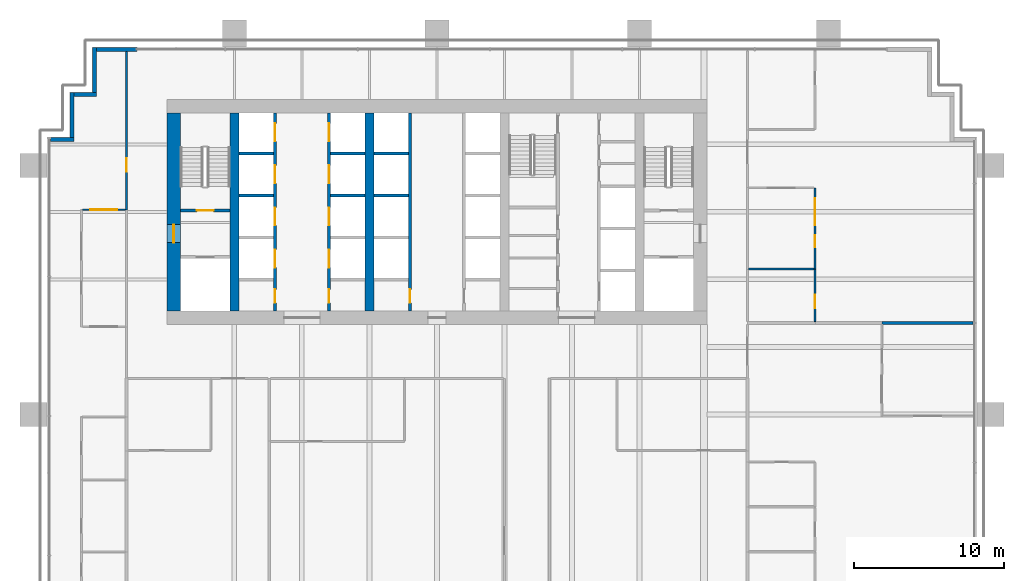
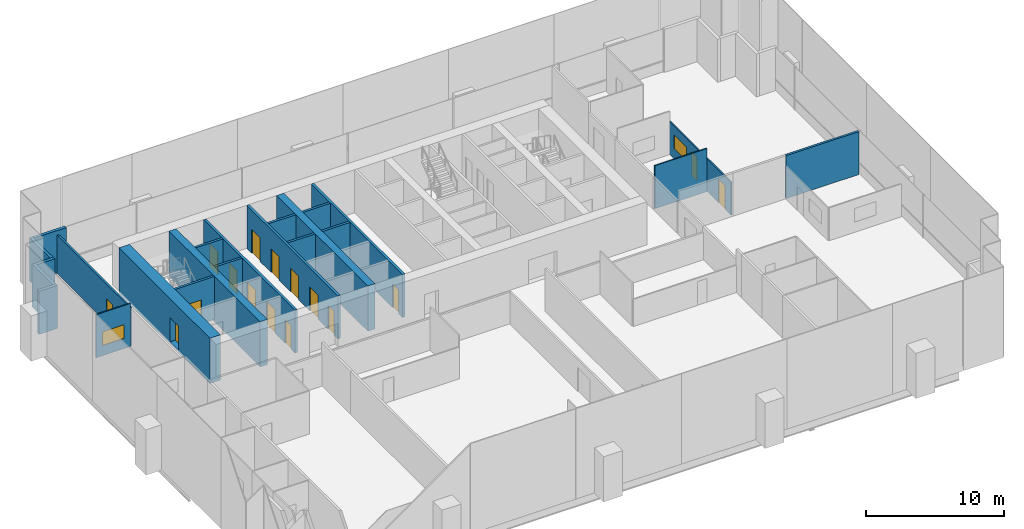
# One storey, part 14 of 19: 24 walls, 16 doors, 2 windows, 18 openings.
"""IFC4 building model written with IfcOpenShell, lengths in metres."""

import ifcopenshell
import ifcopenshell.guid

model = None  # the IFC model being written
_history = None  # IfcOwnerHistory: only IFC2X3 demands one
_inside = {}  # id of a spatial element -> (the spatial element, [elements in it])
_under = {}  # id of a project, library or spatial element -> (it, [spatial elements below it])
_declared = {}  # id of a project -> (the project, [libraries it declares])
_typed = {}  # id of a type object -> (the type object, [elements of that type])
_made_of = {}  # id of a material, layer set ... -> (it, [elements and type objects made of it])


def new_model(schema):
    """Start an empty IFC model of exactly this schema.

    Asked for "IFC4X3", IfcOpenShell would pick the latest addendum, in which some entities
    have other attributes; the version numbers below select the first issue.
    IFC2X3 requires an IfcOwnerHistory on every rooted entity: one is made here for all.
    """
    global model, _history
    if schema == "IFC4X3":
        model = ifcopenshell.file(schema_version=(4, 3, 0, 0))
    else:
        model = ifcopenshell.file(schema=schema)
    _inside.clear()
    _under.clear()
    _declared.clear()
    _typed.clear()
    _made_of.clear()
    _history = None
    if model.schema == "IFC2X3":
        org = make("IfcOrganization", Name="unknown")
        user = make(
            "IfcPersonAndOrganization",
            ThePerson=make("IfcPerson", FamilyName="unknown"),
            TheOrganization=org,
        )
        app = make(
            "IfcApplication",
            ApplicationDeveloper=org,
            Version="unknown",
            ApplicationFullName="unknown",
            ApplicationIdentifier="unknown",
        )
        _history = make(
            "IfcOwnerHistory",
            OwningUser=user,
            OwningApplication=app,
            ChangeAction="ADDED",
            CreationDate=0,
        )
    return model


def make(cls, **values):
    """One entity of the class cls with the attributes given. An attribute that is None is left unset."""
    return model.create_entity(
        cls, **{name: value for name, value in values.items() if value is not None}
    )


def rooted(cls, **values):
    """An entity with a GlobalId (a new one), such as an element, a storey or a relation."""
    return make(cls, GlobalId=ifcopenshell.guid.new(), OwnerHistory=_history, **values)


def si_unit(unit_type, name, prefix=None):
    """IfcSIUnit, for example si_unit("LENGTHUNIT", "METRE", prefix="MILLI")."""
    return make("IfcSIUnit", UnitType=unit_type, Prefix=prefix, Name=name)


def assignment(units):
    """IfcUnitAssignment: the units of a project."""
    return None if units is None else make("IfcUnitAssignment", Units=units)


def point(xyz):
    """IfcCartesianPoint."""
    return None if xyz is None else make("IfcCartesianPoint", Coordinates=xyz)


def direction(xyz):
    """IfcDirection."""
    return None if xyz is None else make("IfcDirection", DirectionRatios=xyz)


def frame(location, z_axis=None, x_axis=None):
    """IfcAxis2Placement3D, a coordinate frame: its origin and axes. An axis left out is left unset."""
    return make(
        "IfcAxis2Placement3D",
        Location=point(location),
        Axis=direction(z_axis),
        RefDirection=direction(x_axis),
    )


def frame_2d(location, x_axis=None):
    """IfcAxis2Placement2D, a coordinate frame in the plane: its origin and x axis."""
    return make(
        "IfcAxis2Placement2D", Location=point(location), RefDirection=direction(x_axis)
    )


def origin():
    """The frame at (0, 0, 0) with its axes left unset."""
    return frame((0.0, 0.0, 0.0))


def place(relative_to, where):
    """IfcLocalPlacement: puts the frame where relative to a parent placement (None: the world)."""
    return make(
        "IfcLocalPlacement", PlacementRelTo=relative_to, RelativePlacement=where
    )


def context(
    kind, dimensions, precision=None, world=None, true_north=None, identifier=None
):
    """IfcGeometricRepresentationContext, for example the 3D "Model" context."""
    return make(
        "IfcGeometricRepresentationContext",
        ContextIdentifier=identifier,
        ContextType=kind,
        CoordinateSpaceDimension=dimensions,
        Precision=precision,
        WorldCoordinateSystem=world,
        TrueNorth=true_north,
    )


def subcontext(parent, identifier, kind, view, scale=None):
    """IfcGeometricRepresentationSubContext, for example "Body" below "Model"."""
    return make(
        "IfcGeometricRepresentationSubContext",
        ContextIdentifier=identifier,
        ContextType=kind,
        ParentContext=parent,
        TargetScale=scale,
        TargetView=view,
    )


def project(units=None, contexts=None):
    """IfcProject with its units and contexts."""
    return rooted(
        "IfcProject",
        Name="project",
        RepresentationContexts=contexts,
        UnitsInContext=assignment(units),
    )


def spatial(cls, under=None, at=None, **own):
    """A site, building, storey or space (cls), placed at a placement, below another one or the project."""
    s = rooted(cls, ObjectPlacement=at, **own)
    if under is not None:
        _under.setdefault(under.id(), (under, []))[1].append(s)
    return s


def profile(cls, at=None, kind="AREA", **sizes):
    """A parametric profile (cls). Its sizes go by their IFC names, for example OverallWidth=200.0."""
    return make(cls, ProfileType=kind, Position=at, **sizes)


def rectangle(**sizes):
    """IfcRectangleProfileDef."""
    return profile("IfcRectangleProfileDef", **sizes)


def extrude(swept, where, along, depth):
    """IfcExtrudedAreaSolid: the profile swept, set in the frame where, extruded along a direction by depth."""
    return make(
        "IfcExtrudedAreaSolid",
        SweptArea=swept,
        Position=where,
        ExtrudedDirection=direction(along),
        Depth=depth,
    )


def shape(context_of_items, identifier, shape_type, items):
    """IfcShapeRepresentation: the items that make up one representation, for example the "Body"."""
    return make(
        "IfcShapeRepresentation",
        ContextOfItems=context_of_items,
        RepresentationIdentifier=identifier,
        RepresentationType=shape_type,
        Items=items,
    )


def material(Name=None, Category=None):
    """IfcMaterial."""
    return make("IfcMaterial", Name=Name, Category=Category)


def layer(
    of_material, thickness, ventilated=None, Name=None, Category=None, Priority=None
):
    """IfcMaterialLayer: one layer of a wall or slab, of a material (None: an air gap)."""
    return make(
        "IfcMaterialLayer",
        Material=of_material,
        LayerThickness=thickness,
        IsVentilated=ventilated,
        Name=Name,
        Category=Category,
        Priority=Priority,
    )


def layer_set(layers, Name=None):
    """IfcMaterialLayerSet."""
    return make("IfcMaterialLayerSet", MaterialLayers=layers, LayerSetName=Name)


def made_of(thing, what):
    """Note that an element or type object is made of a material, layer set ...; save() writes the relation."""
    if what is not None:
        _made_of.setdefault(what.id(), (what, []))[1].append(thing)
    return thing


def type_object(cls, material=None, **own):
    """A type object (cls), such as IfcWallType, which elements share."""
    return made_of(rooted(cls, **own), material)


def element(
    cls,
    number,
    at=None,
    inside=None,
    cuts=None,
    type_object=None,
    material=None,
    context=None,
    identifier="Body",
    shape_type=None,
    held_by="IfcProductDefinitionShape",
    body=None,
    shapes=None,
    **own,
):
    """One element of the class cls, such as IfcWall. Its Tag is "e" and its number.

    at: its placement. inside: the storey or other place that contains it. cuts: it is an
    opening in that element (IfcRelVoidsElement). A single representation is given by context,
    identifier, shape_type and body (its items); several are given by shapes. held_by: the class
    of the entity that holds the representations. save() writes the other relations.
    """
    e = rooted(cls, Tag="e%d" % number, ObjectPlacement=at, **own)
    if body is not None:
        shapes = [shape(context, identifier, shape_type, body)]
    if shapes is not None:
        e.Representation = make(held_by, Representations=shapes)
    if inside is not None:
        _inside.setdefault(inside.id(), (inside, []))[1].append(e)
    if cuts is not None:
        rooted(
            "IfcRelVoidsElement", RelatingBuildingElement=cuts, RelatedOpeningElement=e
        )
    if type_object is not None:
        _typed.setdefault(type_object.id(), (type_object, []))[1].append(e)
    return made_of(e, material)


def fill(opening, filler):
    """IfcRelFillsElement: the door or window that sits in an opening."""
    return rooted(
        "IfcRelFillsElement",
        RelatingOpeningElement=opening,
        RelatedBuildingElement=filler,
    )


def aggregate(whole, parts):
    """IfcRelAggregates: a whole, such as a stair, and the parts it consists of."""
    return rooted("IfcRelAggregates", RelatingObject=whole, RelatedObjects=parts)


def save(model, path):
    """Write the relations noted so far, then the file.

    IfcRelAggregates (storeys below a building ...), IfcRelContainedInSpatialStructure (elements
    in a storey), IfcRelDefinesByType, IfcRelAssociatesMaterial and IfcRelDeclares: one each for
    every whole, place, type object, material and project.
    """
    for whole, parts in _under.values():
        aggregate(whole, parts)
    for where, things in _inside.values():
        rooted(
            "IfcRelContainedInSpatialStructure",
            RelatedElements=things,
            RelatingStructure=where,
        )
    for kind, things in _typed.values():
        rooted("IfcRelDefinesByType", RelatedObjects=things, RelatingType=kind)
    for what, things in _made_of.values():
        rooted("IfcRelAssociatesMaterial", RelatedObjects=things, RelatingMaterial=what)
    for by, libraries in _declared.values():
        rooted("IfcRelDeclares", RelatingContext=by, RelatedDefinitions=libraries)
    model.write(path)


model = new_model("IFC4")

# Units and contexts
model_context = context("Model", 3, precision=1e-05, world=origin(), true_north=direction((0.0, 1.0)))
body_context = subcontext(model_context, "Body", "Model", "MODEL_VIEW")
ifc_project = project(units=[si_unit("LENGTHUNIT", "METRE"), si_unit("AREAUNIT", "SQUARE_METRE"), si_unit("VOLUMEUNIT", "CUBIC_METRE"), si_unit("PLANEANGLEUNIT", "RADIAN"), si_unit("MASSUNIT", "GRAM", prefix="KILO")], contexts=[model_context])

# Site, building, storey
site_placement = place(None, origin())
site = spatial("IfcSite", under=ifc_project, at=site_placement, CompositionType="ELEMENT")
building_placement = place(site_placement, origin())
building = spatial("IfcBuilding", under=site, at=building_placement, Name="Rattan Terrace Tower", CompositionType="ELEMENT")
storey_placement = place(building_placement, frame((0.0, 0.0, 91.699951171875)))
storey = spatial("IfcBuildingStorey", under=building, at=storey_placement, Name="L20", CompositionType="ELEMENT", Elevation=91.699951171875)

# Wall, opening, door
ifc_material_1 = material(Name="Gypsum board partition")
ifc_layer_1 = layer(ifc_material_1, 0.199951171875)
ifc_layer_set_1 = layer_set([ifc_layer_1], Name="Core partition 200")
wall_type_1 = type_object("IfcWallType", Name="Core partition 200", PredefinedType="PARTITIONING", material=ifc_layer_set_1)
wall_1_placement = place(storey_placement, frame((-17.10009765625, 0.10009765625, 0.0), z_axis=(0.0, 0.0, 1.0), x_axis=(1.0, 0.0, 0.0)))
wall_1 = element("IfcWall", 1, at=wall_1_placement, inside=storey, type_object=wall_type_1, Name="Stair enclosure wall", PredefinedType="PARTITIONING", context=body_context, shape_type="SweptSolid", body=[
    extrude(rectangle(XDim=3.300048828125, YDim=0.199951171875, at=frame_2d((1.64990234375, 0.0))), origin(), (0.0, 0.0, 1.0), 3.800048828125),
])
opening_1_placement = place(wall_1_placement, frame((1.10009765625, 0.0, 0.0)))
opening_1 = element("IfcOpeningElement", 2, at=opening_1_placement, cuts=wall_1, Name="Opening L20-D002", PredefinedType="OPENING", context=body_context, shape_type="SweptSolid", body=[
    extrude(rectangle(XDim=1.10009765625, YDim=2.10009765625, at=frame_2d((0.550048828125, 1.050048828125))), frame((0.0, 0.110595703125, 0.0), z_axis=(0.0, -1.0, 0.0), x_axis=(1.0, 0.0, 0.0)), (0.0, 0.0, 1.0), 0.220947265625),
])
ifc_material_2 = material(Name="Hollow-metal fire door leaf")
door_type_1 = type_object("IfcDoorType", Name="Core stair door 1100", OperationType="NOTDEFINED", PredefinedType="DOOR", material=ifc_material_2)
door_1_placement = place(opening_1_placement, origin())
door_1 = element("IfcDoor", 3, at=door_1_placement, inside=storey, type_object=door_type_1, Name="Door L20-D002", OperationType="SINGLE_SWING_LEFT", OverallHeight=2.10009765625, OverallWidth=1.10009765625, PredefinedType="DOOR", context=body_context, shape_type="SweptSolid", body=[
    extrude(rectangle(XDim=1.10009765625, YDim=2.10009765625, at=frame_2d((0.550048828125, 1.050048828125))), frame((0.0, 0.02490234375, 0.0), z_axis=(0.0, -1.0, 0.0), x_axis=(1.0, 0.0, 0.0)), (0.0, 0.0, 1.0), 0.050048828125),
])
fill(opening_1, door_1)

ifc_material_3 = material(Name="Concrete C70/85", Category="concrete")
ifc_layer_2 = layer(ifc_material_3, 0.89990234375)
ifc_layer_set_2 = layer_set([ifc_layer_2], Name="Core ring wall 900 C70/85")
wall_type_2 = type_object("IfcWallType", Name="Core ring wall 900 C70/85", PredefinedType="SHEAR", material=ifc_layer_set_2)
wall_2_placement = place(storey_placement, frame((-17.550048828125, -6.60009765625, -0.199951171875), z_axis=(0.0, 0.0, 1.0), x_axis=(0.0, 1.0, 0.0)))
wall_2 = element("IfcWall", 4, at=wall_2_placement, inside=storey, type_object=wall_type_2, Name="Rear core wall west", PredefinedType="SHEAR", context=body_context, shape_type="SweptSolid", body=[
    extrude(rectangle(XDim=13.2001953125, YDim=0.89990234375, at=frame_2d((6.60009765625, 0.0))), origin(), (0.0, 0.0, 1.0), 4.0),
])
opening_2_placement = place(wall_2_placement, frame((4.550048828125, 0.0, 0.199951171875)))
opening_2 = element("IfcOpeningElement", 5, at=opening_2_placement, cuts=wall_2, Name="Opening L20-D001", PredefinedType="OPENING", context=body_context, shape_type="SweptSolid", body=[
    extrude(rectangle(XDim=1.199951171875, YDim=2.10009765625, at=frame_2d((0.60009765625, 1.050048828125))), frame((0.0, 0.46044921875, 0.0), z_axis=(0.0, -1.0, 0.0), x_axis=(1.0, 0.0, 0.0)), (0.0, 0.0, 1.0), 0.9208984375),
])
ifc_material_4 = material(Name="Hollow-metal fire door leaf")
door_type_2 = type_object("IfcDoorType", Name="Core fire-fighting lobby door 1200", OperationType="NOTDEFINED", PredefinedType="DOOR", material=ifc_material_4)
door_2_placement = place(opening_2_placement, origin())
door_2 = element("IfcDoor", 6, at=door_2_placement, inside=storey, type_object=door_type_2, Name="Door L20-D001", OperationType="SINGLE_SWING_RIGHT", OverallHeight=2.10009765625, OverallWidth=1.199951171875, PredefinedType="DOOR", context=body_context, shape_type="SweptSolid", body=[
    extrude(rectangle(XDim=1.199951171875, YDim=2.10009765625, at=frame_2d((0.60009765625, 1.050048828125))), frame((0.0, 0.02490234375, 0.0), z_axis=(0.0, -1.0, 0.0), x_axis=(1.0, 0.0, 0.0)), (0.0, 0.0, 1.0), 0.050048828125),
])
fill(opening_2, door_2)

# Walls
ifc_material_5 = material(Name="Concrete C70/85", Category="concrete")
ifc_layer_3 = layer(ifc_material_5, 0.60009765625)
ifc_layer_set_3 = layer_set([ifc_layer_3], Name="Core spine wall 600 C70/85")
wall_type_3 = type_object("IfcWallType", Name="Core spine wall 600 C70/85", PredefinedType="SHEAR", material=ifc_layer_set_3)
for number, where, z_axis, x_axis, name in (
    (7, (-13.5, -6.60009765625, -0.199951171875), (0.0, 0.0, 1.0), (0.0, 1.0, 0.0), "Core spine wall 1"),
    (8, (-4.5, -6.60009765625, -0.199951171875), (0.0, 0.0, 1.0), (0.0, 1.0, 0.0), "Core spine wall 2"),
):
    element("IfcWall", number, at=place(storey_placement, frame(where, z_axis=z_axis, x_axis=x_axis)), inside=storey, type_object=wall_type_3, Name=name, PredefinedType="SHEAR", context=body_context, shape_type="SweptSolid", body=[
        extrude(rectangle(XDim=13.2001953125, YDim=0.60009765625, at=frame_2d((6.60009765625, 0.0))), origin(), (0.0, 0.0, 1.0), 4.0),
    ])
ifc_material_6 = material(Name="Insulated aluminium-clad stud wall", Category="aluminium")
ifc_layer_4 = layer(ifc_material_6, 0.25)
ifc_layer_set_4 = layer_set([ifc_layer_4], Name="Facade Riser Wall 250")
wall_type_4 = type_object("IfcWallType", Name="Facade Riser Wall 250", PredefinedType="SOLIDWALL", material=ifc_layer_set_4)
wall_3_placement = place(storey_placement, frame((-20.0, 10.830078125, 0.0), z_axis=(0.0, 0.0, 1.0), x_axis=(-1.0, 0.0, 0.0)))
element("IfcWall", 9, at=wall_3_placement, inside=storey, type_object=wall_type_4, Name="Riser wall L20-11", PredefinedType="SOLIDWALL", context=body_context, shape_type="SweptSolid", body=[
    extrude(rectangle(XDim=2.705078125, YDim=0.25, at=frame_2d((1.3525390625, 0.0))), origin(), (0.0, 0.0, 1.0), 3.800048828125),
])
wall_4_placement = place(storey_placement, frame((-22.830078125, 10.955078125, 0.0), z_axis=(0.0, 0.0, 1.0), x_axis=(0.0, -1.0, 0.0)))
element("IfcWall", 10, at=wall_4_placement, inside=storey, type_object=wall_type_4, Name="Riser wall L20-12", PredefinedType="SOLIDWALL", context=body_context, shape_type="SweptSolid", body=[
    extrude(rectangle(XDim=3.0, YDim=0.25, at=frame_2d((1.5, 0.0))), origin(), (0.0, 0.0, 1.0), 3.800048828125),
])
wall_5_placement = place(storey_placement, frame((-22.705078125, 7.830078125, 0.0), z_axis=(0.0, 0.0, 1.0), x_axis=(-1.0, 0.0, 0.0)))
element("IfcWall", 11, at=wall_5_placement, inside=storey, type_object=wall_type_4, Name="Riser wall L20-13", PredefinedType="SOLIDWALL", context=body_context, shape_type="SweptSolid", body=[
    extrude(rectangle(XDim=1.5, YDim=0.25, at=frame_2d((0.75, 0.0))), origin(), (0.0, 0.0, 1.0), 3.800048828125),
])
wall_6_placement = place(storey_placement, frame((-24.330078125, 7.955078125, 0.0), z_axis=(0.0, 0.0, 1.0), x_axis=(0.0, -1.0, 0.0)))
element("IfcWall", 12, at=wall_6_placement, inside=storey, type_object=wall_type_4, Name="Riser wall L20-14", PredefinedType="SOLIDWALL", context=body_context, shape_type="SweptSolid", body=[
    extrude(rectangle(XDim=3.0, YDim=0.25, at=frame_2d((1.5, 0.0))), origin(), (0.0, 0.0, 1.0), 3.800048828125),
])
wall_7_placement = place(storey_placement, frame((-24.205078125, 4.830078125, 0.0), z_axis=(0.0, 0.0, 1.0), x_axis=(-1.0, 0.0, 0.0)))
element("IfcWall", 13, at=wall_7_placement, inside=storey, type_object=wall_type_4, Name="Riser wall L20-15", PredefinedType="SOLIDWALL", context=body_context, shape_type="SweptSolid", body=[
    extrude(rectangle(XDim=1.544921875, YDim=0.25, at=frame_2d((0.7724609375, 0.0))), origin(), (0.0, 0.0, 1.0), 3.800048828125),
])
ifc_material_7 = material(Name="Double steel stud acoustic partition, gypsum board, mineral wool, fire rated", Category="steel")
ifc_layer_5 = layer(ifc_material_7, 0.179931640625)
ifc_layer_set_5 = layer_set([ifc_layer_5], Name="Floors Acoustic Party Wall 180")
wall_type_5 = type_object("IfcWallType", Name="Floors Acoustic Party Wall 180", PredefinedType="PARTITIONING", material=ifc_layer_set_5)
wall_8_placement = place(storey_placement, frame((29.659912109375, -7.39990234375, 0.0), z_axis=(0.0, 0.0, 1.0), x_axis=(1.0, 0.0, 0.0)))
element("IfcWall", 14, at=wall_8_placement, inside=storey, type_object=wall_type_5, Name="pt-L20-045", PredefinedType="PARTITIONING", context=body_context, shape_type="SweptSolid", body=[
    extrude(rectangle(XDim=6.080078125, YDim=0.179931640625, at=frame_2d((3.0400390625, 0.0))), origin(), (0.0, 0.0, 1.0), 3.800048828125),
])

# Wall, opening, window
ifc_material_8 = material(Name="Gypsum board partition on steel studs", Category="steel")
ifc_layer_6 = layer(ifc_material_8, 0.10009765625)
ifc_layer_set_6 = layer_set([ifc_layer_6], Name="Floors Partition 100")
wall_type_6 = type_object("IfcWallType", Name="Floors Partition 100", PredefinedType="PARTITIONING", material=ifc_layer_set_6)
wall_9_placement = place(storey_placement, frame((-20.77490234375, 0.139892578125, 0.0), z_axis=(0.0, 0.0, 1.0), x_axis=(-1.0, 0.0, 0.0)))
wall_9 = element("IfcWall", 15, at=wall_9_placement, inside=storey, type_object=wall_type_6, Name="pt-L20-025", PredefinedType="PARTITIONING", context=body_context, shape_type="SweptSolid", body=[
    extrude(rectangle(XDim=2.875, YDim=0.10009765625, at=frame_2d((1.4375, 0.0))), origin(), (0.0, 0.0, 1.0), 3.800048828125),
])
opening_3_placement = place(wall_9_placement, frame((0.537109375, 0.0, 0.89990234375)))
opening_3 = element("IfcOpeningElement", 16, at=opening_3_placement, cuts=wall_9, Name="Opening L20-W102", PredefinedType="OPENING", context=body_context, shape_type="SweptSolid", body=[
    extrude(rectangle(XDim=1.800048828125, YDim=1.199951171875, at=frame_2d((0.89990234375, 0.60009765625))), frame((0.0, 0.060546875, 0.0), z_axis=(0.0, -1.0, 0.0), x_axis=(1.0, 0.0, 0.0)), (0.0, 0.0, 1.0), 0.12109375),
])
ifc_material_9 = material(Name="Glass, clear, fixed in aluminium frame", Category="aluminium")
window_type = type_object("IfcWindowType", Name="Interior Vision Window 1800x1200", PartitioningType="SINGLE_PANEL", PredefinedType="WINDOW", material=ifc_material_9)
window_1_placement = place(opening_3_placement, origin())
window_1 = element("IfcWindow", 17, at=window_1_placement, inside=storey, type_object=window_type, Name="w-L20-102", OverallHeight=1.199951171875, OverallWidth=1.800048828125, PartitioningType="SINGLE_PANEL", PredefinedType="WINDOW", context=body_context, shape_type="SweptSolid", body=[
    extrude(rectangle(XDim=1.800048828125, YDim=1.199951171875, at=frame_2d((0.89990234375, 0.60009765625))), frame((0.0, 0.030029296875, 0.0), z_axis=(0.0, -1.0, 0.0), x_axis=(1.0, 0.0, 0.0)), (0.0, 0.0, 1.0), 0.06005859375),
])
fill(opening_3, window_1)

# Wall, opening, door
wall_10_placement = place(storey_placement, frame((25.199951171875, -7.31005859375, 0.0), z_axis=(0.0, 0.0, 1.0), x_axis=(0.0, 1.0, 0.0)))
wall_10 = element("IfcWall", 18, at=wall_10_placement, inside=storey, type_object=wall_type_6, Name="pt-L20-051", PredefinedType="PARTITIONING", context=body_context, shape_type="SweptSolid", body=[
    extrude(rectangle(XDim=3.489990234375, YDim=0.10009765625, at=frame_2d((1.7451171875, 0.0))), origin(), (0.0, 0.0, 1.0), 2.900146484375),
])
opening_4_placement = place(wall_10_placement, frame((0.876953125, 0.0, 0.0)))
opening_4 = element("IfcOpeningElement", 19, at=opening_4_placement, cuts=wall_10, Name="Opening L20-D112", PredefinedType="OPENING", context=body_context, shape_type="SweptSolid", body=[
    extrude(rectangle(XDim=0.89990234375, YDim=2.10009765625, at=frame_2d((0.449951171875, 1.050048828125))), frame((0.0, 0.060546875, 0.0), z_axis=(0.0, -1.0, 0.0), x_axis=(1.0, 0.0, 0.0)), (0.0, 0.0, 1.0), 0.12109375),
])
ifc_material_10 = material(Name="Solid core timber door, painted", Category="wood")
door_type_3 = type_object("IfcDoorType", Name="Floors Door 900x2100", OperationType="NOTDEFINED", PredefinedType="DOOR", material=ifc_material_10)
door_3_placement = place(opening_4_placement, origin())
door_3 = element("IfcDoor", 20, at=door_3_placement, inside=storey, type_object=door_type_3, Name="d-L20-112", OperationType="SINGLE_SWING_LEFT", OverallHeight=2.10009765625, OverallWidth=0.89990234375, PredefinedType="DOOR", context=body_context, shape_type="SweptSolid", body=[
    extrude(rectangle(XDim=0.89990234375, YDim=2.10009765625, at=frame_2d((0.449951171875, 1.050048828125))), frame((0.0, 0.02490234375, 0.0), z_axis=(0.0, -1.0, 0.0), x_axis=(1.0, 0.0, 0.0)), (0.0, 0.0, 1.0), 0.050048828125),
])
fill(opening_4, door_3)

# Wall, openings, door, window
wall_11_placement = place(storey_placement, frame((25.199951171875, -3.820068359375, 0.0), z_axis=(0.0, 0.0, 1.0), x_axis=(0.0, 1.0, 0.0)))
wall_11 = element("IfcWall", 21, at=wall_11_placement, inside=storey, type_object=wall_type_6, Name="pt-L20-053", PredefinedType="PARTITIONING", context=body_context, shape_type="SweptSolid", body=[
    extrude(rectangle(XDim=5.420166015625, YDim=0.10009765625, at=frame_2d((2.7099609375, 0.0))), origin(), (0.0, 0.0, 1.0), 2.900146484375),
])
opening_5_placement = place(wall_11_placement, frame((1.486083984375, 0.0, 0.0)))
opening_5 = element("IfcOpeningElement", 22, at=opening_5_placement, cuts=wall_11, Name="Opening L20-D113", PredefinedType="OPENING", context=body_context, shape_type="SweptSolid", body=[
    extrude(rectangle(XDim=0.800048828125, YDim=2.10009765625, at=frame_2d((0.39990234375, 1.050048828125))), frame((0.0, 0.060546875, 0.0), z_axis=(0.0, -1.0, 0.0), x_axis=(1.0, 0.0, 0.0)), (0.0, 0.0, 1.0), 0.12109375),
])
opening_6_placement = place(wall_11_placement, frame((2.927978515625, 0.0, 0.89990234375)))
opening_6 = element("IfcOpeningElement", 23, at=opening_6_placement, cuts=wall_11, Name="Opening L20-W106", PredefinedType="OPENING", context=body_context, shape_type="SweptSolid", body=[
    extrude(rectangle(XDim=1.800048828125, YDim=1.199951171875, at=frame_2d((0.89990234375, 0.60009765625))), frame((0.0, 0.060546875, 0.0), z_axis=(0.0, -1.0, 0.0), x_axis=(1.0, 0.0, 0.0)), (0.0, 0.0, 1.0), 0.12109375),
])
ifc_material_11 = material(Name="Solid core timber door, painted", Category="wood")
door_type_4 = type_object("IfcDoorType", Name="Floors Store Door 800x2100", OperationType="NOTDEFINED", PredefinedType="DOOR", material=ifc_material_11)
door_4_placement = place(opening_5_placement, origin())
door_4 = element("IfcDoor", 24, at=door_4_placement, inside=storey, type_object=door_type_4, Name="d-L20-113", OperationType="SINGLE_SWING_LEFT", OverallHeight=2.10009765625, OverallWidth=0.800048828125, PredefinedType="DOOR", context=body_context, shape_type="SweptSolid", body=[
    extrude(rectangle(XDim=0.800048828125, YDim=2.10009765625, at=frame_2d((0.39990234375, 1.050048828125))), frame((0.0, 0.02490234375, 0.0), z_axis=(0.0, -1.0, 0.0), x_axis=(1.0, 0.0, 0.0)), (0.0, 0.0, 1.0), 0.050048828125),
])
fill(opening_5, door_4)
window_2_placement = place(opening_6_placement, origin())
window_2 = element("IfcWindow", 25, at=window_2_placement, inside=storey, type_object=window_type, Name="w-L20-106", OverallHeight=1.199951171875, OverallWidth=1.800048828125, PartitioningType="SINGLE_PANEL", PredefinedType="WINDOW", context=body_context, shape_type="SweptSolid", body=[
    extrude(rectangle(XDim=1.800048828125, YDim=1.199951171875, at=frame_2d((0.89990234375, 0.60009765625))), frame((0.0, 0.030029296875, 0.0), z_axis=(0.0, -1.0, 0.0), x_axis=(1.0, 0.0, 0.0)), (0.0, 0.0, 1.0), 0.06005859375),
])
fill(opening_6, window_2)

# Wall
wall_12_placement = place(storey_placement, frame((20.77490234375, -3.800048828125, 0.0), z_axis=(0.0, 0.0, 1.0), x_axis=(1.0, 0.0, 0.0)))
element("IfcWall", 26, at=wall_12_placement, inside=storey, type_object=wall_type_6, Name="pt-L20-056", PredefinedType="PARTITIONING", context=body_context, shape_type="SweptSolid", body=[
    extrude(rectangle(XDim=4.375, YDim=0.10009765625, at=frame_2d((2.1875, 0.0))), origin(), (0.0, 0.0, 1.0), 3.800048828125),
])

# Wall, opening, door
ifc_material_12 = material(Name="Gypsum board partition on steel studs, fire rated", Category="steel")
ifc_layer_7 = layer(ifc_material_12, 0.14990234375)
ifc_layer_set_7 = layer_set([ifc_layer_7], Name="Floors Tenancy Wall 150")
wall_type_7 = type_object("IfcWallType", Name="Floors Tenancy Wall 150", PredefinedType="PARTITIONING", material=ifc_layer_set_7)
wall_13_placement = place(storey_placement, frame((-20.699951171875, 0.1201171875, 0.0), z_axis=(0.0, 0.0, 1.0), x_axis=(0.0, 1.0, 0.0)))
wall_13 = element("IfcWall", 27, at=wall_13_placement, inside=storey, type_object=wall_type_7, Name="pt-L20-002", PredefinedType="PARTITIONING", context=body_context, shape_type="SweptSolid", body=[
    extrude(rectangle(XDim=10.619873046875, YDim=0.14990234375, at=frame_2d((5.31005859375, 0.0))), origin(), (0.0, 0.0, 1.0), 3.400146484375),
])
opening_7_placement = place(wall_13_placement, frame((2.554931640625, 0.0, 0.0)))
opening_7 = element("IfcOpeningElement", 28, at=opening_7_placement, cuts=wall_13, Name="Opening L20-D100", PredefinedType="OPENING", context=body_context, shape_type="SweptSolid", body=[
    extrude(rectangle(XDim=0.89990234375, YDim=2.10009765625, at=frame_2d((0.449951171875, 1.050048828125))), frame((0.0, 0.08544921875, 0.0), z_axis=(0.0, -1.0, 0.0), x_axis=(1.0, 0.0, 0.0)), (0.0, 0.0, 1.0), 0.1708984375),
])
ifc_material_13 = material(Name="Steel fire door set", Category="steel")
door_type_5 = type_object("IfcDoorType", Name="Floors Fire Door FD30S 900x2100", OperationType="NOTDEFINED", PredefinedType="DOOR", material=ifc_material_13)
door_5_placement = place(opening_7_placement, origin())
door_5 = element("IfcDoor", 29, at=door_5_placement, inside=storey, type_object=door_type_5, Name="d-L20-100", OperationType="SINGLE_SWING_LEFT", OverallHeight=2.10009765625, OverallWidth=0.89990234375, PredefinedType="DOOR", context=body_context, shape_type="SweptSolid", body=[
    extrude(rectangle(XDim=0.89990234375, YDim=2.10009765625, at=frame_2d((0.449951171875, 1.050048828125))), frame((0.0, 0.02490234375, 0.0), z_axis=(0.0, -1.0, 0.0), x_axis=(1.0, 0.0, 0.0)), (0.0, 0.0, 1.0), 0.050048828125),
])
fill(opening_7, door_5)

# Wall, openings, doors
ifc_material_14 = material(Name="Gypsum shaft wall system")
ifc_layer_8 = layer(ifc_material_14, 0.199951171875)
ifc_layer_set_8 = layer_set([ifc_layer_8], Name="Lift shaft wall 200")
wall_type_8 = type_object("IfcWallType", Name="Lift shaft wall 200", PredefinedType="PARTITIONING", material=ifc_layer_set_8)
wall_14_placement = place(storey_placement, frame((-10.800048828125, -6.60009765625, 0.0), z_axis=(0.0, 0.0, 1.0), x_axis=(0.0, 1.0, 0.0)))
wall_14 = element("IfcWall", 30, at=wall_14_placement, inside=storey, type_object=wall_type_8, Name="Lift shaft front wall", PredefinedType="PARTITIONING", context=body_context, shape_type="SweptSolid", body=[
    extrude(rectangle(XDim=13.2001953125, YDim=0.199951171875, at=frame_2d((6.60009765625, 0.0))), origin(), (0.0, 0.0, 1.0), 3.800048828125),
])
opening_8_placement = place(wall_14_placement, frame((0.550048828125, 0.0, 0.0)))
opening_8 = element("IfcOpeningElement", 31, at=opening_8_placement, cuts=wall_14, Name="Opening L20-D005", PredefinedType="OPENING", context=body_context, shape_type="SweptSolid", body=[
    extrude(rectangle(XDim=0.89990234375, YDim=2.10009765625, at=frame_2d((0.449951171875, 1.050048828125))), frame((0.0, 0.110595703125, 0.0), z_axis=(0.0, -1.0, 0.0), x_axis=(1.0, 0.0, 0.0)), (0.0, 0.0, 1.0), 0.220947265625),
])
opening_9_placement = place(wall_14_placement, frame((2.89990234375, 0.0, 0.0)))
opening_9 = element("IfcOpeningElement", 32, at=opening_9_placement, cuts=wall_14, Name="Opening L20-LD-LR1", PredefinedType="OPENING", context=body_context, shape_type="SweptSolid", body=[
    extrude(rectangle(XDim=1.199951171875, YDim=2.10009765625, at=frame_2d((0.60009765625, 1.050048828125))), frame((0.0, 0.110595703125, 0.0), z_axis=(0.0, -1.0, 0.0), x_axis=(1.0, 0.0, 0.0)), (0.0, 0.0, 1.0), 0.220947265625),
])
opening_10_placement = place(wall_14_placement, frame((5.699951171875, 0.0, 0.0)))
opening_10 = element("IfcOpeningElement", 33, at=opening_10_placement, cuts=wall_14, Name="Opening L20-LD-LR2", PredefinedType="OPENING", context=body_context, shape_type="SweptSolid", body=[
    extrude(rectangle(XDim=1.199951171875, YDim=2.10009765625, at=frame_2d((0.60009765625, 1.050048828125))), frame((0.0, 0.110595703125, 0.0), z_axis=(0.0, -1.0, 0.0), x_axis=(1.0, 0.0, 0.0)), (0.0, 0.0, 1.0), 0.220947265625),
])
opening_11_placement = place(wall_14_placement, frame((8.5, 0.0, 0.0)))
opening_11 = element("IfcOpeningElement", 34, at=opening_11_placement, cuts=wall_14, Name="Opening L20-LD-LR3", PredefinedType="OPENING", context=body_context, shape_type="SweptSolid", body=[
    extrude(rectangle(XDim=1.199951171875, YDim=2.10009765625, at=frame_2d((0.60009765625, 1.050048828125))), frame((0.0, 0.110595703125, 0.0), z_axis=(0.0, -1.0, 0.0), x_axis=(1.0, 0.0, 0.0)), (0.0, 0.0, 1.0), 0.220947265625),
])
opening_12_placement = place(wall_14_placement, frame((11.300048828125, 0.0, 0.0)))
opening_12 = element("IfcOpeningElement", 35, at=opening_12_placement, cuts=wall_14, Name="Opening L20-LD-LR4", PredefinedType="OPENING", context=body_context, shape_type="SweptSolid", body=[
    extrude(rectangle(XDim=1.199951171875, YDim=2.10009765625, at=frame_2d((0.60009765625, 1.050048828125))), frame((0.0, 0.110595703125, 0.0), z_axis=(0.0, -1.0, 0.0), x_axis=(1.0, 0.0, 0.0)), (0.0, 0.0, 1.0), 0.220947265625),
])
ifc_material_15 = material(Name="Brushed stainless landing door panel")
door_type_6 = type_object("IfcDoorType", Name="Core lift landing door 1200", OperationType="DOUBLE_DOOR_SLIDING", PredefinedType="DOOR", material=ifc_material_15)
door_6_placement = place(opening_9_placement, origin())
door_6 = element("IfcDoor", 36, at=door_6_placement, inside=storey, type_object=door_type_6, Name="Door L20-LD-LR1", OperationType="DOUBLE_DOOR_SLIDING", OverallHeight=2.10009765625, OverallWidth=1.199951171875, PredefinedType="DOOR", context=body_context, shape_type="SweptSolid", body=[
    extrude(rectangle(XDim=1.199951171875, YDim=2.10009765625, at=frame_2d((0.60009765625, 1.050048828125))), frame((0.0, 0.02490234375, 0.0), z_axis=(0.0, -1.0, 0.0), x_axis=(1.0, 0.0, 0.0)), (0.0, 0.0, 1.0), 0.050048828125),
])
fill(opening_9, door_6)
door_7_placement = place(opening_10_placement, origin())
door_7 = element("IfcDoor", 37, at=door_7_placement, inside=storey, type_object=door_type_6, Name="Door L20-LD-LR2", OperationType="DOUBLE_DOOR_SLIDING", OverallHeight=2.10009765625, OverallWidth=1.199951171875, PredefinedType="DOOR", context=body_context, shape_type="SweptSolid", body=[
    extrude(rectangle(XDim=1.199951171875, YDim=2.10009765625, at=frame_2d((0.60009765625, 1.050048828125))), frame((0.0, 0.02490234375, 0.0), z_axis=(0.0, -1.0, 0.0), x_axis=(1.0, 0.0, 0.0)), (0.0, 0.0, 1.0), 0.050048828125),
])
fill(opening_10, door_7)
door_8_placement = place(opening_11_placement, origin())
door_8 = element("IfcDoor", 38, at=door_8_placement, inside=storey, type_object=door_type_6, Name="Door L20-LD-LR3", OperationType="DOUBLE_DOOR_SLIDING", OverallHeight=2.10009765625, OverallWidth=1.199951171875, PredefinedType="DOOR", context=body_context, shape_type="SweptSolid", body=[
    extrude(rectangle(XDim=1.199951171875, YDim=2.10009765625, at=frame_2d((0.60009765625, 1.050048828125))), frame((0.0, 0.02490234375, 0.0), z_axis=(0.0, -1.0, 0.0), x_axis=(1.0, 0.0, 0.0)), (0.0, 0.0, 1.0), 0.050048828125),
])
fill(opening_11, door_8)
door_9_placement = place(opening_12_placement, origin())
door_9 = element("IfcDoor", 39, at=door_9_placement, inside=storey, type_object=door_type_6, Name="Door L20-LD-LR4", OperationType="DOUBLE_DOOR_SLIDING", OverallHeight=2.10009765625, OverallWidth=1.199951171875, PredefinedType="DOOR", context=body_context, shape_type="SweptSolid", body=[
    extrude(rectangle(XDim=1.199951171875, YDim=2.10009765625, at=frame_2d((0.60009765625, 1.050048828125))), frame((0.0, 0.02490234375, 0.0), z_axis=(0.0, -1.0, 0.0), x_axis=(1.0, 0.0, 0.0)), (0.0, 0.0, 1.0), 0.050048828125),
])
fill(opening_12, door_9)
ifc_material_16 = material(Name="Hollow-metal fire door leaf")
door_type_7 = type_object("IfcDoorType", Name="Core riser door 900", OperationType="NOTDEFINED", PredefinedType="DOOR", material=ifc_material_16)
door_10_placement = place(opening_8_placement, origin())
door_10 = element("IfcDoor", 40, at=door_10_placement, inside=storey, type_object=door_type_7, Name="Door L20-D005", OperationType="SINGLE_SWING_RIGHT", OverallHeight=2.10009765625, OverallWidth=0.89990234375, PredefinedType="DOOR", context=body_context, shape_type="SweptSolid", body=[
    extrude(rectangle(XDim=0.89990234375, YDim=2.10009765625, at=frame_2d((0.449951171875, 1.050048828125))), frame((0.0, 0.02490234375, 0.0), z_axis=(0.0, -1.0, 0.0), x_axis=(1.0, 0.0, 0.0)), (0.0, 0.0, 1.0), 0.050048828125),
])
fill(opening_8, door_10)

wall_15_placement = place(storey_placement, frame((-7.199951171875, -6.60009765625, 0.0), z_axis=(0.0, 0.0, 1.0), x_axis=(0.0, 1.0, 0.0)))
wall_15 = element("IfcWall", 41, at=wall_15_placement, inside=storey, type_object=wall_type_8, Name="Lift shaft front wall", PredefinedType="PARTITIONING", context=body_context, shape_type="SweptSolid", body=[
    extrude(rectangle(XDim=13.2001953125, YDim=0.199951171875, at=frame_2d((6.60009765625, 0.0))), origin(), (0.0, 0.0, 1.0), 3.800048828125),
])
opening_13_placement = place(wall_15_placement, frame((0.550048828125, 0.0, 0.0)))
opening_13 = element("IfcOpeningElement", 42, at=opening_13_placement, cuts=wall_15, Name="Opening L20-D006", PredefinedType="OPENING", context=body_context, shape_type="SweptSolid", body=[
    extrude(rectangle(XDim=0.89990234375, YDim=2.10009765625, at=frame_2d((0.449951171875, 1.050048828125))), frame((0.0, 0.110595703125, 0.0), z_axis=(0.0, -1.0, 0.0), x_axis=(1.0, 0.0, 0.0)), (0.0, 0.0, 1.0), 0.220947265625),
])
opening_14_placement = place(wall_15_placement, frame((2.89990234375, 0.0, 0.0)))
opening_14 = element("IfcOpeningElement", 43, at=opening_14_placement, cuts=wall_15, Name="Opening L20-LD-LR5", PredefinedType="OPENING", context=body_context, shape_type="SweptSolid", body=[
    extrude(rectangle(XDim=1.199951171875, YDim=2.10009765625, at=frame_2d((0.60009765625, 1.050048828125))), frame((0.0, 0.110595703125, 0.0), z_axis=(0.0, -1.0, 0.0), x_axis=(1.0, 0.0, 0.0)), (0.0, 0.0, 1.0), 0.220947265625),
])
opening_15_placement = place(wall_15_placement, frame((5.699951171875, 0.0, 0.0)))
opening_15 = element("IfcOpeningElement", 44, at=opening_15_placement, cuts=wall_15, Name="Opening L20-LD-LR6", PredefinedType="OPENING", context=body_context, shape_type="SweptSolid", body=[
    extrude(rectangle(XDim=1.199951171875, YDim=2.10009765625, at=frame_2d((0.60009765625, 1.050048828125))), frame((0.0, 0.110595703125, 0.0), z_axis=(0.0, -1.0, 0.0), x_axis=(1.0, 0.0, 0.0)), (0.0, 0.0, 1.0), 0.220947265625),
])
opening_16_placement = place(wall_15_placement, frame((8.5, 0.0, 0.0)))
opening_16 = element("IfcOpeningElement", 45, at=opening_16_placement, cuts=wall_15, Name="Opening L20-LD-LR7", PredefinedType="OPENING", context=body_context, shape_type="SweptSolid", body=[
    extrude(rectangle(XDim=1.199951171875, YDim=2.10009765625, at=frame_2d((0.60009765625, 1.050048828125))), frame((0.0, 0.110595703125, 0.0), z_axis=(0.0, -1.0, 0.0), x_axis=(1.0, 0.0, 0.0)), (0.0, 0.0, 1.0), 0.220947265625),
])
opening_17_placement = place(wall_15_placement, frame((11.300048828125, 0.0, 0.0)))
opening_17 = element("IfcOpeningElement", 46, at=opening_17_placement, cuts=wall_15, Name="Opening L20-LD-LR8", PredefinedType="OPENING", context=body_context, shape_type="SweptSolid", body=[
    extrude(rectangle(XDim=1.199951171875, YDim=2.10009765625, at=frame_2d((0.60009765625, 1.050048828125))), frame((0.0, 0.110595703125, 0.0), z_axis=(0.0, -1.0, 0.0), x_axis=(1.0, 0.0, 0.0)), (0.0, 0.0, 1.0), 0.220947265625),
])
door_11_placement = place(opening_14_placement, origin())
door_11 = element("IfcDoor", 47, at=door_11_placement, inside=storey, type_object=door_type_6, Name="Door L20-LD-LR5", OperationType="DOUBLE_DOOR_SLIDING", OverallHeight=2.10009765625, OverallWidth=1.199951171875, PredefinedType="DOOR", context=body_context, shape_type="SweptSolid", body=[
    extrude(rectangle(XDim=1.199951171875, YDim=2.10009765625, at=frame_2d((0.60009765625, 1.050048828125))), frame((0.0, 0.02490234375, 0.0), z_axis=(0.0, -1.0, 0.0), x_axis=(1.0, 0.0, 0.0)), (0.0, 0.0, 1.0), 0.050048828125),
])
fill(opening_14, door_11)
door_12_placement = place(opening_15_placement, origin())
door_12 = element("IfcDoor", 48, at=door_12_placement, inside=storey, type_object=door_type_6, Name="Door L20-LD-LR6", OperationType="DOUBLE_DOOR_SLIDING", OverallHeight=2.10009765625, OverallWidth=1.199951171875, PredefinedType="DOOR", context=body_context, shape_type="SweptSolid", body=[
    extrude(rectangle(XDim=1.199951171875, YDim=2.10009765625, at=frame_2d((0.60009765625, 1.050048828125))), frame((0.0, 0.02490234375, 0.0), z_axis=(0.0, -1.0, 0.0), x_axis=(1.0, 0.0, 0.0)), (0.0, 0.0, 1.0), 0.050048828125),
])
fill(opening_15, door_12)
door_13_placement = place(opening_16_placement, origin())
door_13 = element("IfcDoor", 49, at=door_13_placement, inside=storey, type_object=door_type_6, Name="Door L20-LD-LR7", OperationType="DOUBLE_DOOR_SLIDING", OverallHeight=2.10009765625, OverallWidth=1.199951171875, PredefinedType="DOOR", context=body_context, shape_type="SweptSolid", body=[
    extrude(rectangle(XDim=1.199951171875, YDim=2.10009765625, at=frame_2d((0.60009765625, 1.050048828125))), frame((0.0, 0.02490234375, 0.0), z_axis=(0.0, -1.0, 0.0), x_axis=(1.0, 0.0, 0.0)), (0.0, 0.0, 1.0), 0.050048828125),
])
fill(opening_16, door_13)
door_14_placement = place(opening_17_placement, origin())
door_14 = element("IfcDoor", 50, at=door_14_placement, inside=storey, type_object=door_type_6, Name="Door L20-LD-LR8", OperationType="DOUBLE_DOOR_SLIDING", OverallHeight=2.10009765625, OverallWidth=1.199951171875, PredefinedType="DOOR", context=body_context, shape_type="SweptSolid", body=[
    extrude(rectangle(XDim=1.199951171875, YDim=2.10009765625, at=frame_2d((0.60009765625, 1.050048828125))), frame((0.0, 0.02490234375, 0.0), z_axis=(0.0, -1.0, 0.0), x_axis=(1.0, 0.0, 0.0)), (0.0, 0.0, 1.0), 0.050048828125),
])
fill(opening_17, door_14)
door_15_placement = place(opening_13_placement, origin())
door_15 = element("IfcDoor", 51, at=door_15_placement, inside=storey, type_object=door_type_7, Name="Door L20-D006", OperationType="SINGLE_SWING_LEFT", OverallHeight=2.10009765625, OverallWidth=0.89990234375, PredefinedType="DOOR", context=body_context, shape_type="SweptSolid", body=[
    extrude(rectangle(XDim=0.89990234375, YDim=2.10009765625, at=frame_2d((0.449951171875, 1.050048828125))), frame((0.0, 0.02490234375, 0.0), z_axis=(0.0, -1.0, 0.0), x_axis=(1.0, 0.0, 0.0)), (0.0, 0.0, 1.0), 0.050048828125),
])
fill(opening_13, door_15)

# Walls
for number, where, z_axis, x_axis, name in (
    (52, (-13.199951171875, 1.10009765625, 0.0), (0.0, 0.0, 1.0), (1.0, 0.0, 0.0), "Lift shaft wall"),
    (53, (-13.199951171875, 3.89990234375, 0.0), (0.0, 0.0, 1.0), (1.0, 0.0, 0.0), "Lift shaft wall"),
    (54, (-7.10009765625, 1.10009765625, 0.0), (0.0, 0.0, 1.0), (1.0, 0.0, 0.0), "Lift shaft wall"),
    (55, (-7.10009765625, 3.89990234375, 0.0), (0.0, 0.0, 1.0), (1.0, 0.0, 0.0), "Lift shaft wall"),
):
    element("IfcWall", number, at=place(storey_placement, frame(where, z_axis=z_axis, x_axis=x_axis)), inside=storey, type_object=wall_type_8, Name=name, PredefinedType="PARTITIONING", context=body_context, shape_type="SweptSolid", body=[
        extrude(rectangle(XDim=2.300048828125, YDim=0.199951171875, at=frame_2d((1.14990234375, 0.0))), origin(), (0.0, 0.0, 1.0), 3.800048828125),
    ])

# Wall, opening, door
wall_16_placement = place(storey_placement, frame((-1.800048828125, -6.60009765625, 0.0), z_axis=(0.0, 0.0, 1.0), x_axis=(0.0, 1.0, 0.0)))
wall_16 = element("IfcWall", 56, at=wall_16_placement, inside=storey, type_object=wall_type_8, Name="Lift shaft front wall", PredefinedType="PARTITIONING", context=body_context, shape_type="SweptSolid", body=[
    extrude(rectangle(XDim=13.2001953125, YDim=0.199951171875, at=frame_2d((6.60009765625, 0.0))), origin(), (0.0, 0.0, 1.0), 3.800048828125),
])
opening_18_placement = place(wall_16_placement, frame((0.550048828125, 0.0, 0.0)))
opening_18 = element("IfcOpeningElement", 57, at=opening_18_placement, cuts=wall_16, Name="Opening L20-D008", PredefinedType="OPENING", context=body_context, shape_type="SweptSolid", body=[
    extrude(rectangle(XDim=0.89990234375, YDim=2.10009765625, at=frame_2d((0.449951171875, 1.050048828125))), frame((0.0, 0.110595703125, 0.0), z_axis=(0.0, -1.0, 0.0), x_axis=(1.0, 0.0, 0.0)), (0.0, 0.0, 1.0), 0.220947265625),
])
door_16_placement = place(opening_18_placement, origin())
door_16 = element("IfcDoor", 58, at=door_16_placement, inside=storey, type_object=door_type_7, Name="Door L20-D008", OperationType="SINGLE_SWING_RIGHT", OverallHeight=2.10009765625, OverallWidth=0.89990234375, PredefinedType="DOOR", context=body_context, shape_type="SweptSolid", body=[
    extrude(rectangle(XDim=0.89990234375, YDim=2.10009765625, at=frame_2d((0.449951171875, 1.050048828125))), frame((0.0, 0.02490234375, 0.0), z_axis=(0.0, -1.0, 0.0), x_axis=(1.0, 0.0, 0.0)), (0.0, 0.0, 1.0), 0.050048828125),
])
fill(opening_18, door_16)

# Walls
for number, where, z_axis, x_axis, name in (
    (59, (-4.199951171875, 1.10009765625, 0.0), (0.0, 0.0, 1.0), (1.0, 0.0, 0.0), "Lift shaft wall"),
    (60, (-4.199951171875, 3.89990234375, 0.0), (0.0, 0.0, 1.0), (1.0, 0.0, 0.0), "Lift shaft wall"),
):
    element("IfcWall", number, at=place(storey_placement, frame(where, z_axis=z_axis, x_axis=x_axis)), inside=storey, type_object=wall_type_8, Name=name, PredefinedType="PARTITIONING", context=body_context, shape_type="SweptSolid", body=[
        extrude(rectangle(XDim=2.300048828125, YDim=0.199951171875, at=frame_2d((1.14990234375, 0.0))), origin(), (0.0, 0.0, 1.0), 3.800048828125),
    ])

save(model, "model.ifc")
